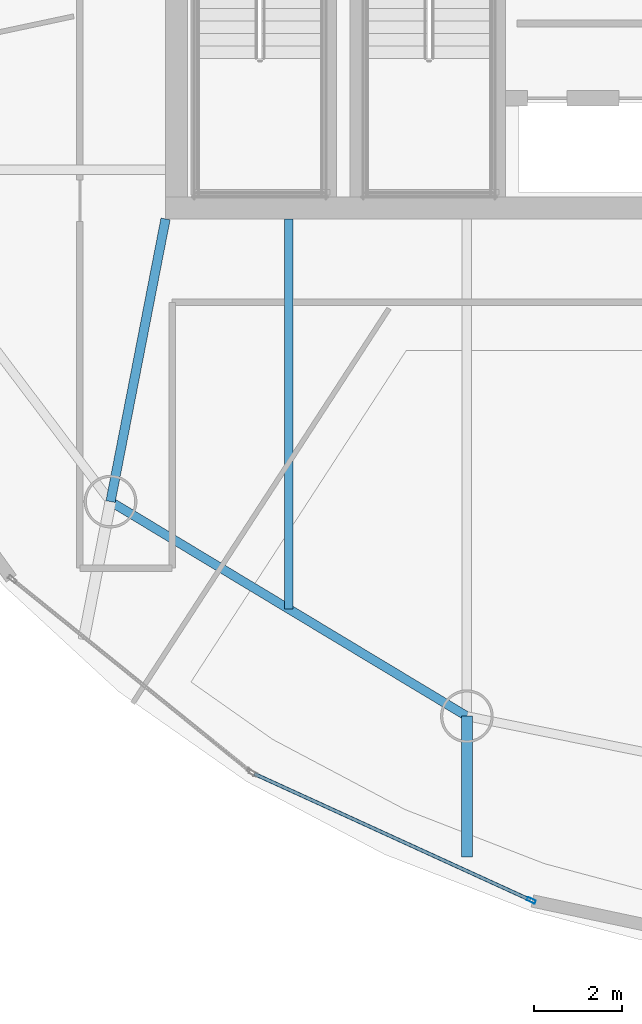
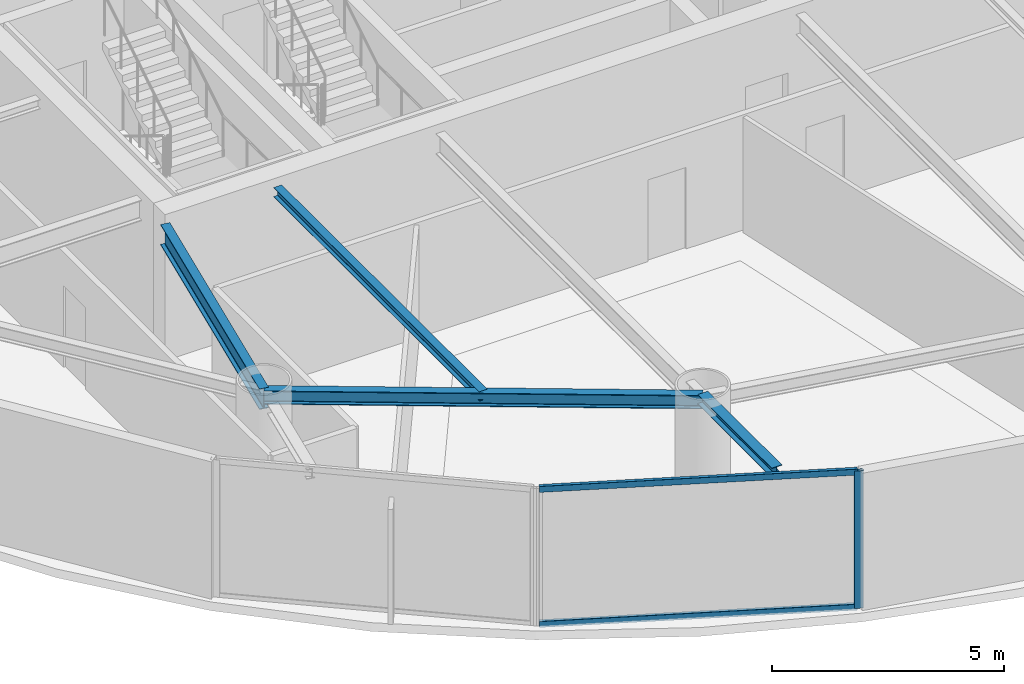
# One storey, part 3 of 19: 4 beams, 3 members, 1 element without a shape of its own.
"""IFC4 building model written with IfcOpenShell, lengths in metres."""

from ifc_helpers import new_model, si_unit, direction, frame, origin, origin_2d, place, context, subcontext, project, spatial, hollow_rectangle, i_section, extrude, material, layer, layer_set, material_profile, profile_set, type_object, element, aggregate, save


model = new_model("IFC4")

# Units and contexts
model_context = context("Model", 3, precision=1e-05, world=origin(), true_north=direction((0.0, 1.0)))
body_context = subcontext(model_context, "Body", "Model", "MODEL_VIEW")
ifc_project = project(units=[si_unit("LENGTHUNIT", "METRE"), si_unit("AREAUNIT", "SQUARE_METRE"), si_unit("VOLUMEUNIT", "CUBIC_METRE"), si_unit("PLANEANGLEUNIT", "RADIAN"), si_unit("MASSUNIT", "GRAM", prefix="KILO")], contexts=[model_context])

# Site, building, storey
site_placement = place(None, origin())
site = spatial("IfcSite", under=ifc_project, at=site_placement, CompositionType="ELEMENT")
building_placement = place(site_placement, origin())
building = spatial("IfcBuilding", under=site, at=building_placement, Name="Bramvorn Convention Spire", CompositionType="ELEMENT")
storey_placement = place(building_placement, frame((0.0, 0.0, 217.39990234375)))
storey = spatial("IfcBuildingStorey", under=building, at=storey_placement, Name="L55", CompositionType="ELEMENT", Elevation=217.39990234375)

# Beams
ifc_material_1 = material(Name="Steel CSA G40.21 Grade 350 (350W)", Category="steel")
ifc_material_profile_1 = material_profile(ifc_material_1, i_section(OverallWidth=0.201904296875, OverallDepth=0.2470703125, WebThickness=0.00732421875, FlangeThickness=0.010986328125, FilletRadius=0.011962890625, at=origin_2d()))
ifc_profile_set_1 = profile_set([ifc_material_profile_1], Name="Steel CSA G40.21 Grade 350 (350W) - W250X49")
beam_type_1 = type_object("IfcBeamType", Name="BM-W250X49", PredefinedType="JOIST", material=ifc_profile_set_1)
beam_1_placement = place(storey_placement, frame((29.554443359375, 18.550048828125, 3.49658203125), z_axis=(0.0, -1.0, 0.0), x_axis=(1.0, 0.0, 0.0)))
element("IfcBeam", 1, at=beam_1_placement, inside=storey, type_object=beam_type_1, Name="L55 composite floor joist 13", PredefinedType="JOIST", context=body_context, shape_type="SweptSolid", body=[
    extrude(i_section(OverallWidth=0.201904296875, OverallDepth=0.2470703125, WebThickness=0.00732421875, FlangeThickness=0.010986328125, FilletRadius=0.011962890625, at=origin_2d()), origin(), (0.0, 0.0, 1.0), 8.878662109375),
])
ifc_material_profile_2 = material_profile(ifc_material_1, i_section(OverallWidth=0.25390625, OverallDepth=0.2529296875, WebThickness=0.008544921875, FlangeThickness=0.01416015625, FilletRadius=0.011962890625, at=origin_2d()))
ifc_profile_set_2 = profile_set([ifc_material_profile_2], Name="Steel CSA G40.21 Grade 350 (350W) - W250X73")
beam_type_2 = type_object("IfcBeamType", Name="BM-W250X73", PredefinedType="BEAM", material=ifc_profile_set_2)
beam_2_placement = place(storey_placement, frame((33.61083984375, 7.227783203125, 3.49365234375), z_axis=(0.0, -1.0, 0.0), x_axis=(1.0, 0.0, 0.0)))
element("IfcBeam", 2, at=beam_2_placement, inside=storey, type_object=beam_type_2, Name="L55 slab-edge cantilever tip beam MC14", PredefinedType="BEAM", context=body_context, shape_type="SweptSolid", body=[
    extrude(i_section(OverallWidth=0.25390625, OverallDepth=0.2529296875, WebThickness=0.008544921875, FlangeThickness=0.01416015625, FilletRadius=0.011962890625, at=origin_2d()), origin(), (0.0, 0.0, 1.0), 3.199951171875),
])
ifc_material_profile_3 = material_profile(ifc_material_1, i_section(OverallWidth=0.205078125, OverallDepth=0.35400390625, WebThickness=0.009521484375, FlangeThickness=0.016845703125, FilletRadius=0.014892578125, at=origin_2d()))
ifc_profile_set_3 = profile_set([ifc_material_profile_3], Name="Steel CSA G40.21 Grade 350 (350W) - W360X79")
beam_type_3 = type_object("IfcBeamType", Name="BM-W360X79", PredefinedType="JOIST", material=ifc_profile_set_3)
beam_3_placement = place(storey_placement, frame((25.498046875, 12.114990234375, 3.443115234375), z_axis=(0.856581795745, -0.516011266543, 0.0), x_axis=(0.516011266543, 0.856581795745, 0.0)))
element("IfcBeam", 3, at=beam_3_placement, inside=storey, type_object=beam_type_3, Name="L55 mega-column ring beam 13", PredefinedType="JOIST", context=body_context, shape_type="SweptSolid", body=[
    extrude(i_section(OverallWidth=0.205078125, OverallDepth=0.35400390625, WebThickness=0.009521484375, FlangeThickness=0.016845703125, FilletRadius=0.014892578125, at=origin_2d()), origin(), (0.0, 0.0, 1.0), 9.47119140625),
])
ifc_material_profile_4 = material_profile(ifc_material_1, i_section(OverallWidth=0.2119140625, OverallDepth=0.5439453125, WebThickness=0.01318359375, FlangeThickness=0.021240234375, FilletRadius=0.01904296875, at=origin_2d()))
ifc_profile_set_4 = profile_set([ifc_material_profile_4], Name="Steel CSA G40.21 Grade 350 (350W) - W530X123")
beam_type_4 = type_object("IfcBeamType", Name="BM-W530X123", PredefinedType="BEAM", material=ifc_profile_set_4)
beam_4_placement = place(storey_placement, frame((26.75, 18.550048828125, 3.34814453125), z_axis=(-0.190971329886, -0.981595614885, 0.0), x_axis=(0.981595614885, -0.190971329886, 0.0)))
element("IfcBeam", 4, at=beam_4_placement, inside=storey, type_object=beam_type_4, Name="L55 radial floor girder MC13", PredefinedType="BEAM", context=body_context, shape_type="SweptSolid", body=[
    extrude(i_section(OverallWidth=0.2119140625, OverallDepth=0.5439453125, WebThickness=0.01318359375, FlangeThickness=0.021240234375, FilletRadius=0.01904296875, at=origin_2d()), origin(), (0.0, 0.0, 1.0), 6.5556640625),
])

# Curtain wall, members
ifc_material_2 = material(Name="Anodised Bronze Unitised Curtain Wall", Category="aluminium")
ifc_layer = layer(ifc_material_2, 0.179931640625)
ifc_layer_set = layer_set([ifc_layer], Name="Anodised Bronze Unitised Curtain Wall - CW-OFF-FRIT")
curtain_wall_type = type_object("IfcCurtainWallType", Name="CW-OFF-FRIT", PredefinedType="USERDEFINED", material=ifc_layer_set)
curtain_wall_placement = place(storey_placement, origin())
curtain_wall = element("IfcCurtainWall", 5, at=curtain_wall_placement, inside=storey, type_object=curtain_wall_type, Name="L55 fritted glass curtain wall 20", ObjectType="UNITISED CURTAIN WALL", PredefinedType="USERDEFINED")
ifc_material_3 = material(Name="Anodised Bronze Aluminium 6063-T6", Category="aluminium")
ifc_material_profile_5 = material_profile(ifc_material_3, hollow_rectangle(XDim=0.080078125, YDim=0.199951171875, WallThickness=0.00390625, InnerFilletRadius=0.0009765625, OuterFilletRadius=0.00390625, at=origin_2d()))
ifc_profile_set_5 = profile_set([ifc_material_profile_5], Name="Anodised Bronze Aluminium 6063-T6 - CWM80X200")
member_type_1 = type_object("IfcMemberType", Name="CW-MUL-180", PredefinedType="MULLION", material=ifc_profile_set_5)
member_1_placement = place(storey_placement, frame((35.07666015625, 3.0341796875, 0.0), z_axis=(0.0, 0.0, 1.0), x_axis=(-0.415635829072, -0.909531119639, 0.0)))
member_1 = element("IfcMember", 6, at=member_1_placement, type_object=member_type_1, Name="CW3 mullion 1", PredefinedType="MULLION", context=body_context, shape_type="SweptSolid", body=[
    extrude(hollow_rectangle(XDim=0.080078125, YDim=0.199951171875, WallThickness=0.00390625, InnerFilletRadius=0.0009765625, OuterFilletRadius=0.00390625, at=origin_2d()), origin(), (0.0, 0.0, 1.0), 3.6201171875),
])
ifc_material_profile_6 = material_profile(ifc_material_3, hollow_rectangle(XDim=0.080078125, YDim=0.159912109375, WallThickness=0.00390625, InnerFilletRadius=0.0009765625, OuterFilletRadius=0.00390625, at=origin_2d()))
ifc_profile_set_6 = profile_set([ifc_material_profile_6], Name="Anodised Bronze Aluminium 6063-T6 - CWT80X160")
member_type_2 = type_object("IfcMemberType", Name="CW-TRN-150", PredefinedType="USERDEFINED", material=ifc_profile_set_6)
member_2_placement = place(storey_placement, frame((35.04931640625, 3.046630859375, 0.030029296875), z_axis=(-0.90953067774, 0.415636796073, 0.0), x_axis=(-0.415636796073, -0.90953067774, 0.0)))
member_2 = element("IfcMember", 7, at=member_2_placement, type_object=member_type_2, Name="CW3 transom 1.1", ObjectType="TRANSOM", PredefinedType="USERDEFINED", context=body_context, shape_type="SweptSolid", body=[
    extrude(hollow_rectangle(XDim=0.080078125, YDim=0.159912109375, WallThickness=0.00390625, InnerFilletRadius=0.0009765625, OuterFilletRadius=0.00390625, at=origin_2d()), origin(), (0.0, 0.0, 1.0), 6.897705078125),
])
member_3_placement = place(storey_placement, frame((35.04931640625, 3.046630859375, 3.590087890625), z_axis=(-0.90953067774, 0.415636796073, 0.0), x_axis=(-0.415636796073, -0.90953067774, 0.0)))
member_3 = element("IfcMember", 8, at=member_3_placement, type_object=member_type_2, Name="CW3 transom 1.2", ObjectType="TRANSOM", PredefinedType="USERDEFINED", context=body_context, shape_type="SweptSolid", body=[
    extrude(hollow_rectangle(XDim=0.080078125, YDim=0.159912109375, WallThickness=0.00390625, InnerFilletRadius=0.0009765625, OuterFilletRadius=0.00390625, at=origin_2d()), origin(), (0.0, 0.0, 1.0), 6.897705078125),
])
aggregate(curtain_wall, [member_1, member_2, member_3])

save(model, "model.ifc")
